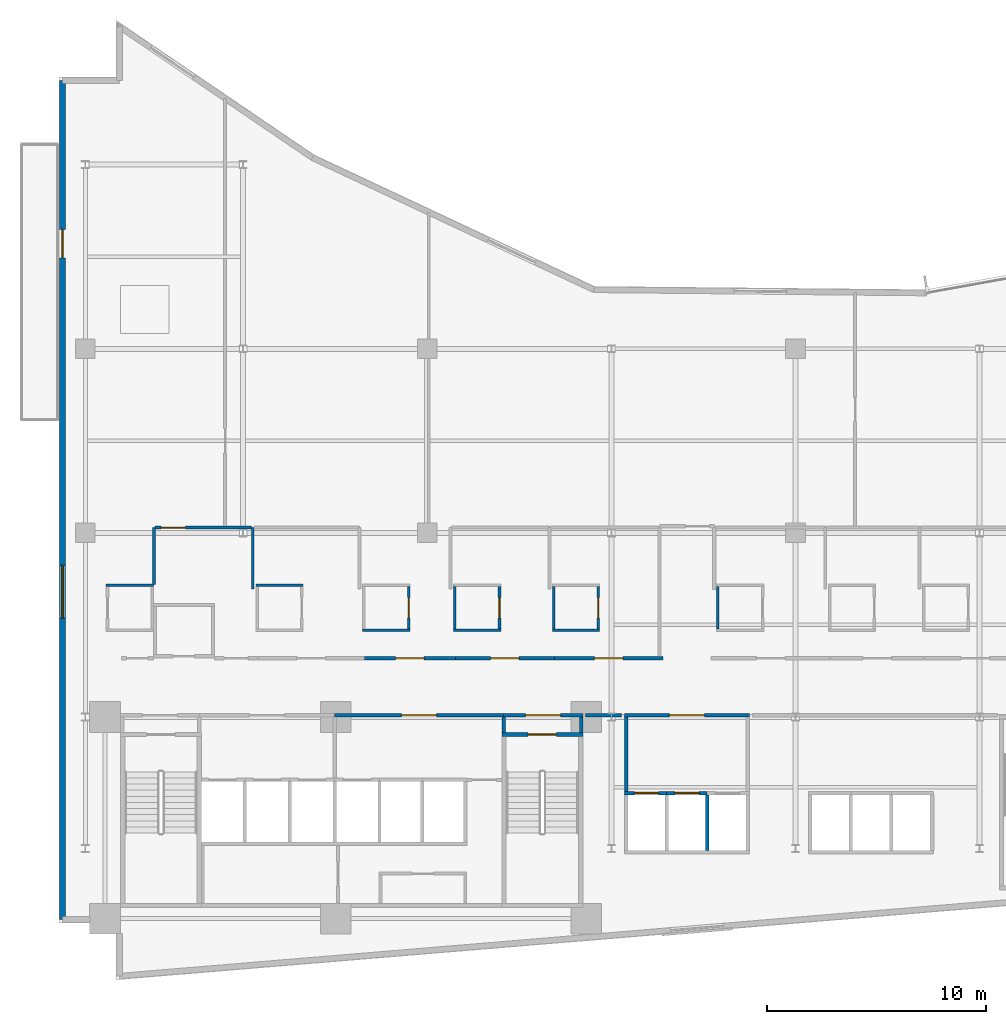
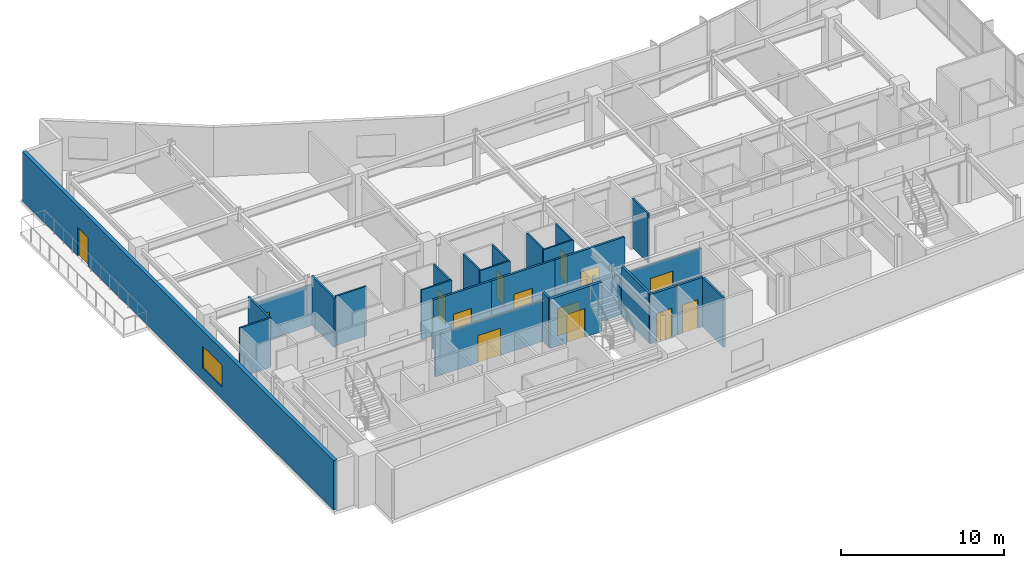
# One storey, part 13 of 21: 29 walls, 14 doors, 1 window, 15 openings.
"""IFC4 building model written with IfcOpenShell, lengths in metres."""

import ifcopenshell
import ifcopenshell.guid

model = None  # the IFC model being written
_history = None  # IfcOwnerHistory: only IFC2X3 demands one
_inside = {}  # id of a spatial element -> (the spatial element, [elements in it])
_under = {}  # id of a project, library or spatial element -> (it, [spatial elements below it])
_declared = {}  # id of a project -> (the project, [libraries it declares])
_typed = {}  # id of a type object -> (the type object, [elements of that type])
_made_of = {}  # id of a material, layer set ... -> (it, [elements and type objects made of it])


def new_model(schema):
    """Start an empty IFC model of exactly this schema.

    Asked for "IFC4X3", IfcOpenShell would pick the latest addendum, in which some entities
    have other attributes; the version numbers below select the first issue.
    IFC2X3 requires an IfcOwnerHistory on every rooted entity: one is made here for all.
    """
    global model, _history
    if schema == "IFC4X3":
        model = ifcopenshell.file(schema_version=(4, 3, 0, 0))
    else:
        model = ifcopenshell.file(schema=schema)
    _inside.clear()
    _under.clear()
    _declared.clear()
    _typed.clear()
    _made_of.clear()
    _history = None
    if model.schema == "IFC2X3":
        org = make("IfcOrganization", Name="unknown")
        user = make(
            "IfcPersonAndOrganization",
            ThePerson=make("IfcPerson", FamilyName="unknown"),
            TheOrganization=org,
        )
        app = make(
            "IfcApplication",
            ApplicationDeveloper=org,
            Version="unknown",
            ApplicationFullName="unknown",
            ApplicationIdentifier="unknown",
        )
        _history = make(
            "IfcOwnerHistory",
            OwningUser=user,
            OwningApplication=app,
            ChangeAction="ADDED",
            CreationDate=0,
        )
    return model


def make(cls, **values):
    """One entity of the class cls with the attributes given. An attribute that is None is left unset."""
    return model.create_entity(
        cls, **{name: value for name, value in values.items() if value is not None}
    )


def rooted(cls, **values):
    """An entity with a GlobalId (a new one), such as an element, a storey or a relation."""
    return make(cls, GlobalId=ifcopenshell.guid.new(), OwnerHistory=_history, **values)


def si_unit(unit_type, name, prefix=None):
    """IfcSIUnit, for example si_unit("LENGTHUNIT", "METRE", prefix="MILLI")."""
    return make("IfcSIUnit", UnitType=unit_type, Prefix=prefix, Name=name)


def assignment(units):
    """IfcUnitAssignment: the units of a project."""
    return None if units is None else make("IfcUnitAssignment", Units=units)


def point(xyz):
    """IfcCartesianPoint."""
    return None if xyz is None else make("IfcCartesianPoint", Coordinates=xyz)


def direction(xyz):
    """IfcDirection."""
    return None if xyz is None else make("IfcDirection", DirectionRatios=xyz)


def frame(location, z_axis=None, x_axis=None):
    """IfcAxis2Placement3D, a coordinate frame: its origin and axes. An axis left out is left unset."""
    return make(
        "IfcAxis2Placement3D",
        Location=point(location),
        Axis=direction(z_axis),
        RefDirection=direction(x_axis),
    )


def frame_2d(location, x_axis=None):
    """IfcAxis2Placement2D, a coordinate frame in the plane: its origin and x axis."""
    return make(
        "IfcAxis2Placement2D", Location=point(location), RefDirection=direction(x_axis)
    )


def origin():
    """The frame at (0, 0, 0) with its axes left unset."""
    return frame((0.0, 0.0, 0.0))


def place(relative_to, where):
    """IfcLocalPlacement: puts the frame where relative to a parent placement (None: the world)."""
    return make(
        "IfcLocalPlacement", PlacementRelTo=relative_to, RelativePlacement=where
    )


def context(
    kind, dimensions, precision=None, world=None, true_north=None, identifier=None
):
    """IfcGeometricRepresentationContext, for example the 3D "Model" context."""
    return make(
        "IfcGeometricRepresentationContext",
        ContextIdentifier=identifier,
        ContextType=kind,
        CoordinateSpaceDimension=dimensions,
        Precision=precision,
        WorldCoordinateSystem=world,
        TrueNorth=true_north,
    )


def subcontext(parent, identifier, kind, view, scale=None):
    """IfcGeometricRepresentationSubContext, for example "Body" below "Model"."""
    return make(
        "IfcGeometricRepresentationSubContext",
        ContextIdentifier=identifier,
        ContextType=kind,
        ParentContext=parent,
        TargetScale=scale,
        TargetView=view,
    )


def project(units=None, contexts=None):
    """IfcProject with its units and contexts."""
    return rooted(
        "IfcProject",
        Name="project",
        RepresentationContexts=contexts,
        UnitsInContext=assignment(units),
    )


def spatial(cls, under=None, at=None, **own):
    """A site, building, storey or space (cls), placed at a placement, below another one or the project."""
    s = rooted(cls, ObjectPlacement=at, **own)
    if under is not None:
        _under.setdefault(under.id(), (under, []))[1].append(s)
    return s


def profile(cls, at=None, kind="AREA", **sizes):
    """A parametric profile (cls). Its sizes go by their IFC names, for example OverallWidth=200.0."""
    return make(cls, ProfileType=kind, Position=at, **sizes)


def rectangle(**sizes):
    """IfcRectangleProfileDef."""
    return profile("IfcRectangleProfileDef", **sizes)


def extrude(swept, where, along, depth):
    """IfcExtrudedAreaSolid: the profile swept, set in the frame where, extruded along a direction by depth."""
    return make(
        "IfcExtrudedAreaSolid",
        SweptArea=swept,
        Position=where,
        ExtrudedDirection=direction(along),
        Depth=depth,
    )


def shape(context_of_items, identifier, shape_type, items):
    """IfcShapeRepresentation: the items that make up one representation, for example the "Body"."""
    return make(
        "IfcShapeRepresentation",
        ContextOfItems=context_of_items,
        RepresentationIdentifier=identifier,
        RepresentationType=shape_type,
        Items=items,
    )


def material(Name=None, Category=None):
    """IfcMaterial."""
    return make("IfcMaterial", Name=Name, Category=Category)


def layer(
    of_material, thickness, ventilated=None, Name=None, Category=None, Priority=None
):
    """IfcMaterialLayer: one layer of a wall or slab, of a material (None: an air gap)."""
    return make(
        "IfcMaterialLayer",
        Material=of_material,
        LayerThickness=thickness,
        IsVentilated=ventilated,
        Name=Name,
        Category=Category,
        Priority=Priority,
    )


def layer_set(layers, Name=None):
    """IfcMaterialLayerSet."""
    return make("IfcMaterialLayerSet", MaterialLayers=layers, LayerSetName=Name)


def made_of(thing, what):
    """Note that an element or type object is made of a material, layer set ...; save() writes the relation."""
    if what is not None:
        _made_of.setdefault(what.id(), (what, []))[1].append(thing)
    return thing


def type_object(cls, material=None, **own):
    """A type object (cls), such as IfcWallType, which elements share."""
    return made_of(rooted(cls, **own), material)


def element(
    cls,
    number,
    at=None,
    inside=None,
    cuts=None,
    type_object=None,
    material=None,
    context=None,
    identifier="Body",
    shape_type=None,
    held_by="IfcProductDefinitionShape",
    body=None,
    shapes=None,
    **own,
):
    """One element of the class cls, such as IfcWall. Its Tag is "e" and its number.

    at: its placement. inside: the storey or other place that contains it. cuts: it is an
    opening in that element (IfcRelVoidsElement). A single representation is given by context,
    identifier, shape_type and body (its items); several are given by shapes. held_by: the class
    of the entity that holds the representations. save() writes the other relations.
    """
    e = rooted(cls, Tag="e%d" % number, ObjectPlacement=at, **own)
    if body is not None:
        shapes = [shape(context, identifier, shape_type, body)]
    if shapes is not None:
        e.Representation = make(held_by, Representations=shapes)
    if inside is not None:
        _inside.setdefault(inside.id(), (inside, []))[1].append(e)
    if cuts is not None:
        rooted(
            "IfcRelVoidsElement", RelatingBuildingElement=cuts, RelatedOpeningElement=e
        )
    if type_object is not None:
        _typed.setdefault(type_object.id(), (type_object, []))[1].append(e)
    return made_of(e, material)


def fill(opening, filler):
    """IfcRelFillsElement: the door or window that sits in an opening."""
    return rooted(
        "IfcRelFillsElement",
        RelatingOpeningElement=opening,
        RelatedBuildingElement=filler,
    )


def aggregate(whole, parts):
    """IfcRelAggregates: a whole, such as a stair, and the parts it consists of."""
    return rooted("IfcRelAggregates", RelatingObject=whole, RelatedObjects=parts)


def save(model, path):
    """Write the relations noted so far, then the file.

    IfcRelAggregates (storeys below a building ...), IfcRelContainedInSpatialStructure (elements
    in a storey), IfcRelDefinesByType, IfcRelAssociatesMaterial and IfcRelDeclares: one each for
    every whole, place, type object, material and project.
    """
    for whole, parts in _under.values():
        aggregate(whole, parts)
    for where, things in _inside.values():
        rooted(
            "IfcRelContainedInSpatialStructure",
            RelatedElements=things,
            RelatingStructure=where,
        )
    for kind, things in _typed.values():
        rooted("IfcRelDefinesByType", RelatedObjects=things, RelatingType=kind)
    for what, things in _made_of.values():
        rooted("IfcRelAssociatesMaterial", RelatedObjects=things, RelatingMaterial=what)
    for by, libraries in _declared.values():
        rooted("IfcRelDeclares", RelatingContext=by, RelatedDefinitions=libraries)
    model.write(path)


model = new_model("IFC4")

# Units and contexts
model_context = context("Model", 3, precision=1e-05, world=origin(), true_north=direction((0.0, 1.0)))
body_context = subcontext(model_context, "Body", "Model", "MODEL_VIEW")
ifc_project = project(units=[si_unit("LENGTHUNIT", "METRE"), si_unit("AREAUNIT", "SQUARE_METRE"), si_unit("VOLUMEUNIT", "CUBIC_METRE"), si_unit("PLANEANGLEUNIT", "RADIAN"), si_unit("MASSUNIT", "GRAM", prefix="KILO")], contexts=[model_context])

# Site, building, storey
site_placement = place(None, origin())
site = spatial("IfcSite", under=ifc_project, at=site_placement, CompositionType="ELEMENT")
building_placement = place(site_placement, origin())
building = spatial("IfcBuilding", under=site, at=building_placement, Name="Varnakote Quay Hospital", CompositionType="ELEMENT")
storey_placement = place(building_placement, frame((0.0, 0.0, 42.25)))
storey = spatial("IfcBuildingStorey", under=building, at=storey_placement, Name="L10", CompositionType="ELEMENT", Elevation=42.25)

# Wall, opening, door
ifc_material_1 = material(Name="Fire-rated acoustic gypsum stud wall", Category="gypsum")
ifc_layer_1 = layer(ifc_material_1, 0.159912109375)
ifc_layer_set_1 = layer_set([ifc_layer_1], Name="Fire-rated acoustic gypsum stud wall")
wall_type_1 = type_object("IfcWallType", Name="WL-COMP-160", PredefinedType="PARTITIONING", material=ifc_layer_set_1)
wall_1_placement = place(storey_placement, frame((12.580078125, 12.080078125, 0.0), z_axis=(0.0, 0.0, 1.0), x_axis=(1.0, 0.0, 0.0)))
wall_1 = element("IfcWall", 1, at=wall_1_placement, inside=storey, type_object=wall_type_1, Name="L10 Clinical Bed Lift Lobby Wall", PredefinedType="PARTITIONING", context=body_context, shape_type="SweptSolid", body=[
    extrude(rectangle(XDim=7.699951171875, YDim=0.159912109375, at=frame_2d((3.85009765625, 0.0))), origin(), (0.0, 0.0, 1.0), 3.072998046875),
])
opening_1_placement = place(wall_1_placement, frame((3.050048828125, 0.0, 0.0)))
opening_1 = element("IfcOpeningElement", 2, at=opening_1_placement, cuts=wall_1, Name="Opening D-SVL-L10", PredefinedType="OPENING", context=body_context, shape_type="SweptSolid", body=[
    extrude(rectangle(XDim=1.60009765625, YDim=2.050048828125, at=frame_2d((0.800048828125, 1.02490234375))), frame((0.0, 0.08984375, 0.0), z_axis=(0.0, -1.0, 0.0), x_axis=(1.0, 0.0, 0.0)), (0.0, 0.0, 1.0), 0.179931640625),
])
ifc_material_2 = material(Name="Fire-rated double smoke lobby door")
door_type_1 = type_object("IfcDoorType", Name="DR-LOBBY-FD60S-1600x2150", OperationType="NOTDEFINED", PredefinedType="DOOR", material=ifc_material_2)
door_1_placement = place(opening_1_placement, origin())
door_1 = element("IfcDoor", 3, at=door_1_placement, inside=storey, type_object=door_type_1, Name="L10 Clinical Core Smoke Vestibule Door", OperationType="DOUBLE_DOOR_SINGLE_SWING", OverallHeight=2.050048828125, OverallWidth=1.60009765625, PredefinedType="DOOR", context=body_context, shape_type="SweptSolid", body=[
    extrude(rectangle(XDim=1.60009765625, YDim=2.050048828125, at=frame_2d((0.800048828125, 1.02490234375))), frame((0.0, 0.02490234375, 0.0), z_axis=(0.0, -1.0, 0.0), x_axis=(1.0, 0.0, 0.0)), (0.0, 0.0, 1.0), 0.050048828125),
])
fill(opening_1, door_1)

# Wall
wall_2_placement = place(storey_placement, frame((20.280029296875, 11.300048828125, 0.0), z_axis=(0.0, 0.0, 1.0), x_axis=(0.0, 1.0, 0.0)))
element("IfcWall", 4, at=wall_2_placement, inside=storey, type_object=wall_type_1, Name="L10 East Stair Vestibule Divider Wall", PredefinedType="PARTITIONING", context=body_context, shape_type="SweptSolid", body=[
    extrude(rectangle(XDim=0.699951171875, YDim=0.159912109375, at=frame_2d((0.35009765625, 0.0))), origin(), (0.0, 0.0, 1.0), 3.7099609375),
])

# Wall, opening, door
wall_3_placement = place(storey_placement, frame((20.280029296875, 12.080078125, 0.0), z_axis=(0.0, 0.0, 1.0), x_axis=(1.0, 0.0, 0.0)))
wall_3 = element("IfcWall", 5, at=wall_3_placement, inside=storey, type_object=wall_type_1, Name="L10 East Stair Vestibule Smoke Wall", PredefinedType="PARTITIONING", context=body_context, shape_type="SweptSolid", body=[
    extrude(rectangle(XDim=3.619873046875, YDim=0.159912109375, at=frame_2d((1.81005859375, 0.0))), origin(), (0.0, 0.0, 1.0), 3.072998046875),
])
opening_2_placement = place(wall_3_placement, frame((1.010009765625, 0.0, 0.0)))
opening_2 = element("IfcOpeningElement", 6, at=opening_2_placement, cuts=wall_3, Name="Opening D-ST2L-L10", PredefinedType="OPENING", context=body_context, shape_type="SweptSolid", body=[
    extrude(rectangle(XDim=1.60009765625, YDim=2.050048828125, at=frame_2d((0.800048828125, 1.02490234375))), frame((0.0, 0.08984375, 0.0), z_axis=(0.0, -1.0, 0.0), x_axis=(1.0, 0.0, 0.0)), (0.0, 0.0, 1.0), 0.179931640625),
])
door_2_placement = place(opening_2_placement, origin())
door_2 = element("IfcDoor", 7, at=door_2_placement, inside=storey, type_object=door_type_1, Name="L10 East Stair Vestibule Smoke Door", OperationType="DOUBLE_DOOR_SINGLE_SWING", OverallHeight=2.050048828125, OverallWidth=1.60009765625, PredefinedType="DOOR", context=body_context, shape_type="SweptSolid", body=[
    extrude(rectangle(XDim=1.60009765625, YDim=2.050048828125, at=frame_2d((0.800048828125, 1.02490234375))), frame((0.0, 0.02490234375, 0.0), z_axis=(0.0, -1.0, 0.0), x_axis=(1.0, 0.0, 0.0)), (0.0, 0.0, 1.0), 0.050048828125),
])
fill(opening_2, door_2)

# Walls
wall_4_placement = place(storey_placement, frame((23.820068359375, 11.300048828125, 0.0), z_axis=(0.0, 0.0, 1.0), x_axis=(0.0, 1.0, 0.0)))
element("IfcWall", 8, at=wall_4_placement, inside=storey, type_object=wall_type_1, Name="L10 East Stair Vestibule East Wall", PredefinedType="PARTITIONING", context=body_context, shape_type="SweptSolid", body=[
    extrude(rectangle(XDim=0.699951171875, YDim=0.159912109375, at=frame_2d((0.35009765625, 0.0))), origin(), (0.0, 0.0, 1.0), 3.7099609375),
])
wall_5_placement = place(storey_placement, frame((25.8701171875, 8.610107421875, 0.0), z_axis=(0.0, 0.0, 1.0), x_axis=(0.0, 1.0, 0.0)))
element("IfcWall", 9, at=wall_5_placement, inside=storey, type_object=wall_type_1, Name="L10 Low-Rise Lift Lobby West Wall", PredefinedType="PARTITIONING", context=body_context, shape_type="SweptSolid", body=[
    extrude(rectangle(XDim=3.389892578125, YDim=0.159912109375, at=frame_2d((1.69482421875, 0.0))), origin(), (0.0, 0.0, 1.0), 3.7099609375),
])

# Wall, opening, door
wall_6_placement = place(storey_placement, frame((25.7900390625, 12.080078125, 0.0), z_axis=(0.0, 0.0, 1.0), x_axis=(1.0, 0.0, 0.0)))
wall_6 = element("IfcWall", 10, at=wall_6_placement, inside=storey, type_object=wall_type_1, Name="L10 Low-Rise Lift Lobby North Wall", PredefinedType="PARTITIONING", context=body_context, shape_type="SweptSolid", body=[
    extrude(rectangle(XDim=5.719970703125, YDim=0.159912109375, at=frame_2d((2.85986328125, 0.0))), origin(), (0.0, 0.0, 1.0), 3.072998046875),
])
opening_3_placement = place(wall_6_placement, frame((2.06005859375, 0.0, 0.0)))
opening_3 = element("IfcOpeningElement", 11, at=opening_3_placement, cuts=wall_6, Name="Opening D-PLL-L10", PredefinedType="OPENING", context=body_context, shape_type="SweptSolid", body=[
    extrude(rectangle(XDim=1.60009765625, YDim=2.050048828125, at=frame_2d((0.800048828125, 1.02490234375))), frame((0.0, 0.08984375, 0.0), z_axis=(0.0, -1.0, 0.0), x_axis=(1.0, 0.0, 0.0)), (0.0, 0.0, 1.0), 0.179931640625),
])
door_3_placement = place(opening_3_placement, origin())
door_3 = element("IfcDoor", 12, at=door_3_placement, inside=storey, type_object=door_type_1, Name="L10 Low-Rise Passenger Concourse Vestibule Door", OperationType="DOUBLE_DOOR_SINGLE_SWING", OverallHeight=2.050048828125, OverallWidth=1.60009765625, PredefinedType="DOOR", context=body_context, shape_type="SweptSolid", body=[
    extrude(rectangle(XDim=1.60009765625, YDim=2.050048828125, at=frame_2d((0.800048828125, 1.02490234375))), frame((0.0, 0.02490234375, 0.0), z_axis=(0.0, -1.0, 0.0), x_axis=(1.0, 0.0, 0.0)), (0.0, 0.0, 1.0), 0.050048828125),
])
fill(opening_3, door_3)

# Walls
wall_7_placement = place(storey_placement, frame((24.02001953125, 12.080078125, 0.0), z_axis=(0.0, 0.0, 1.0), x_axis=(1.0, 0.0, 0.0)))
element("IfcWall", 13, at=wall_7_placement, inside=storey, type_object=wall_type_1, Name="L10 Corridor South Gap Wall", PredefinedType="PARTITIONING", context=body_context, shape_type="SweptSolid", body=[
    extrude(rectangle(XDim=1.64990234375, YDim=0.159912109375, at=frame_2d((0.824951171875, 0.0))), origin(), (0.0, 0.0, 1.0), 3.072998046875),
])
ifc_material_3 = material(Name="Moisture-resistant bathroom partition", Category="gypsum")
ifc_layer_2 = layer(ifc_material_3, 0.114990234375)
ifc_layer_set_2 = layer_set([ifc_layer_2], Name="Moisture-resistant bathroom partition")
wall_type_2 = type_object("IfcWallType", Name="WL-ENS-115", PredefinedType="PARTITIONING", material=ifc_layer_set_2)
for number, where, z_axis, x_axis, name in (
    (14, (2.155029296875, 18.017578125, 0.0), (0.0, 0.0, 1.0), (1.0, 0.0, 0.0), "L10 Inpatient En-Suite Bathroom 01 N Wall"),
    (15, (8.985107421875, 18.017578125, 0.0), (0.0, 0.0, 1.0), (1.0, 0.0, 0.0), "L10 Inpatient En-Suite Bathroom 02 N Wall"),
    (16, (13.85498046875, 15.952392578125, 0.0), (0.0, 0.0, 1.0), (1.0, 0.0, 0.0), "L10 Inpatient En-Suite Bathroom 03 S Wall"),
):
    element("IfcWall", number, at=place(storey_placement, frame(where, z_axis=z_axis, x_axis=x_axis)), inside=storey, type_object=wall_type_2, Name=name, PredefinedType="PARTITIONING", context=body_context, shape_type="SweptSolid", body=[
        extrude(rectangle(XDim=2.14990234375, YDim=0.114990234375, at=frame_2d((1.074951171875, 0.0))), origin(), (0.0, 0.0, 1.0), 3.7099609375),
    ])

# Wall, opening, door
wall_8_placement = place(storey_placement, frame((15.947509765625, 16.010009765625, 0.0), z_axis=(0.0, 0.0, 1.0), x_axis=(0.0, 1.0, 0.0)))
wall_8 = element("IfcWall", 17, at=wall_8_placement, inside=storey, type_object=wall_type_2, Name="L10 Inpatient En-Suite Bathroom 03 E Wall", PredefinedType="PARTITIONING", context=body_context, shape_type="SweptSolid", body=[
    extrude(rectangle(XDim=1.949951171875, YDim=0.114990234375, at=frame_2d((0.97509765625, 0.0))), origin(), (0.0, 0.0, 1.0), 3.7099609375),
])
opening_4_placement = place(wall_8_placement, frame((0.514892578125, 0.0, 0.0)))
opening_4 = element("IfcOpeningElement", 18, at=opening_4_placement, cuts=wall_8, Name="Opening D-L10-ENS03", PredefinedType="OPENING", context=body_context, shape_type="SweptSolid", body=[
    extrude(rectangle(XDim=0.919921875, YDim=2.10009765625, at=frame_2d((0.4599609375, 1.050048828125))), frame((0.0, 0.0673828125, 0.0), z_axis=(0.0, -1.0, 0.0), x_axis=(1.0, 0.0, 0.0)), (0.0, 0.0, 1.0), 0.135009765625),
])
ifc_material_4 = material(Name="Moisture-sealed en-suite bathroom door")
door_type_2 = type_object("IfcDoorType", Name="DR-ENS-920x2100", OperationType="NOTDEFINED", PredefinedType="DOOR", material=ifc_material_4)
door_4_placement = place(opening_4_placement, origin())
door_4 = element("IfcDoor", 19, at=door_4_placement, inside=storey, type_object=door_type_2, Name="L10 Inpatient En-Suite Bathroom 03 Door", OperationType="SINGLE_SWING_LEFT", OverallHeight=2.10009765625, OverallWidth=0.919921875, PredefinedType="DOOR", context=body_context, shape_type="SweptSolid", body=[
    extrude(rectangle(XDim=0.919921875, YDim=2.10009765625, at=frame_2d((0.4599609375, 1.050048828125))), frame((0.0, 0.02490234375, 0.0), z_axis=(0.0, -1.0, 0.0), x_axis=(1.0, 0.0, 0.0)), (0.0, 0.0, 1.0), 0.050048828125),
])
fill(opening_4, door_4)

# Walls
wall_9_placement = place(storey_placement, frame((18.0048828125, 15.952392578125, 0.0), z_axis=(0.0, 0.0, 1.0), x_axis=(1.0, 0.0, 0.0)))
element("IfcWall", 20, at=wall_9_placement, inside=storey, type_object=wall_type_2, Name="L10 Inpatient En-Suite Bathroom 04 S Wall", PredefinedType="PARTITIONING", context=body_context, shape_type="SweptSolid", body=[
    extrude(rectangle(XDim=2.150146484375, YDim=0.114990234375, at=frame_2d((1.0751953125, 0.0))), origin(), (0.0, 0.0, 1.0), 3.7099609375),
])
wall_10_placement = place(storey_placement, frame((18.0625, 16.010009765625, 0.0), z_axis=(0.0, 0.0, 1.0), x_axis=(0.0, 1.0, 0.0)))
element("IfcWall", 21, at=wall_10_placement, inside=storey, type_object=wall_type_2, Name="L10 Inpatient En-Suite Bathroom 04 W Wall", PredefinedType="PARTITIONING", context=body_context, shape_type="SweptSolid", body=[
    extrude(rectangle(XDim=1.949951171875, YDim=0.114990234375, at=frame_2d((0.97509765625, 0.0))), origin(), (0.0, 0.0, 1.0), 3.7099609375),
])

# Wall, opening, door
wall_11_placement = place(storey_placement, frame((20.097412109375, 16.010009765625, 0.0), z_axis=(0.0, 0.0, 1.0), x_axis=(0.0, 1.0, 0.0)))
wall_11 = element("IfcWall", 22, at=wall_11_placement, inside=storey, type_object=wall_type_2, Name="L10 Inpatient En-Suite Bathroom 04 E Wall", PredefinedType="PARTITIONING", context=body_context, shape_type="SweptSolid", body=[
    extrude(rectangle(XDim=1.949951171875, YDim=0.114990234375, at=frame_2d((0.97509765625, 0.0))), origin(), (0.0, 0.0, 1.0), 3.7099609375),
])
opening_5_placement = place(wall_11_placement, frame((0.514892578125, 0.0, 0.0)))
opening_5 = element("IfcOpeningElement", 23, at=opening_5_placement, cuts=wall_11, Name="Opening D-L10-ENS04", PredefinedType="OPENING", context=body_context, shape_type="SweptSolid", body=[
    extrude(rectangle(XDim=0.919921875, YDim=2.10009765625, at=frame_2d((0.4599609375, 1.050048828125))), frame((0.0, 0.0673828125, 0.0), z_axis=(0.0, -1.0, 0.0), x_axis=(1.0, 0.0, 0.0)), (0.0, 0.0, 1.0), 0.135009765625),
])
door_5_placement = place(opening_5_placement, origin())
door_5 = element("IfcDoor", 24, at=door_5_placement, inside=storey, type_object=door_type_2, Name="L10 Inpatient En-Suite Bathroom 04 Door", OperationType="SINGLE_SWING_RIGHT", OverallHeight=2.10009765625, OverallWidth=0.919921875, PredefinedType="DOOR", context=body_context, shape_type="SweptSolid", body=[
    extrude(rectangle(XDim=0.919921875, YDim=2.10009765625, at=frame_2d((0.4599609375, 1.050048828125))), frame((0.0, 0.02490234375, 0.0), z_axis=(0.0, -1.0, 0.0), x_axis=(1.0, 0.0, 0.0)), (0.0, 0.0, 1.0), 0.050048828125),
])
fill(opening_5, door_5)

# Walls
wall_12_placement = place(storey_placement, frame((22.514892578125, 15.952392578125, 0.0), z_axis=(0.0, 0.0, 1.0), x_axis=(1.0, 0.0, 0.0)))
element("IfcWall", 25, at=wall_12_placement, inside=storey, type_object=wall_type_2, Name="L10 Inpatient En-Suite Bathroom 05 S Wall", PredefinedType="PARTITIONING", context=body_context, shape_type="SweptSolid", body=[
    extrude(rectangle(XDim=2.150146484375, YDim=0.114990234375, at=frame_2d((1.0751953125, 0.0))), origin(), (0.0, 0.0, 1.0), 3.7099609375),
])
wall_13_placement = place(storey_placement, frame((22.572509765625, 16.010009765625, 0.0), z_axis=(0.0, 0.0, 1.0), x_axis=(0.0, 1.0, 0.0)))
element("IfcWall", 26, at=wall_13_placement, inside=storey, type_object=wall_type_2, Name="L10 Inpatient En-Suite Bathroom 05 W Wall", PredefinedType="PARTITIONING", context=body_context, shape_type="SweptSolid", body=[
    extrude(rectangle(XDim=1.949951171875, YDim=0.114990234375, at=frame_2d((0.97509765625, 0.0))), origin(), (0.0, 0.0, 1.0), 3.7099609375),
])

# Wall, opening, door
wall_14_placement = place(storey_placement, frame((24.607421875, 16.010009765625, 0.0), z_axis=(0.0, 0.0, 1.0), x_axis=(0.0, 1.0, 0.0)))
wall_14 = element("IfcWall", 27, at=wall_14_placement, inside=storey, type_object=wall_type_2, Name="L10 Inpatient En-Suite Bathroom 05 E Wall", PredefinedType="PARTITIONING", context=body_context, shape_type="SweptSolid", body=[
    extrude(rectangle(XDim=1.949951171875, YDim=0.114990234375, at=frame_2d((0.97509765625, 0.0))), origin(), (0.0, 0.0, 1.0), 3.7099609375),
])
opening_6_placement = place(wall_14_placement, frame((0.514892578125, 0.0, 0.0)))
opening_6 = element("IfcOpeningElement", 28, at=opening_6_placement, cuts=wall_14, Name="Opening D-L10-ENS05", PredefinedType="OPENING", context=body_context, shape_type="SweptSolid", body=[
    extrude(rectangle(XDim=0.919921875, YDim=2.10009765625, at=frame_2d((0.4599609375, 1.050048828125))), frame((0.0, 0.0673828125, 0.0), z_axis=(0.0, -1.0, 0.0), x_axis=(1.0, 0.0, 0.0)), (0.0, 0.0, 1.0), 0.135009765625),
])
door_6_placement = place(opening_6_placement, origin())
door_6 = element("IfcDoor", 29, at=door_6_placement, inside=storey, type_object=door_type_2, Name="L10 Inpatient En-Suite Bathroom 05 Door", OperationType="SINGLE_SWING_LEFT", OverallHeight=2.10009765625, OverallWidth=0.919921875, PredefinedType="DOOR", context=body_context, shape_type="SweptSolid", body=[
    extrude(rectangle(XDim=0.919921875, YDim=2.10009765625, at=frame_2d((0.4599609375, 1.050048828125))), frame((0.0, 0.02490234375, 0.0), z_axis=(0.0, -1.0, 0.0), x_axis=(1.0, 0.0, 0.0)), (0.0, 0.0, 1.0), 0.050048828125),
])
fill(opening_6, door_6)

# Wall
wall_15_placement = place(storey_placement, frame((30.0625, 16.010009765625, 0.0), z_axis=(0.0, 0.0, 1.0), x_axis=(0.0, 1.0, 0.0)))
element("IfcWall", 30, at=wall_15_placement, inside=storey, type_object=wall_type_2, Name="L10 Inpatient En-Suite Bathroom 06 W Wall", PredefinedType="PARTITIONING", context=body_context, shape_type="SweptSolid", body=[
    extrude(rectangle(XDim=1.949951171875, YDim=0.114990234375, at=frame_2d((0.97509765625, 0.0))), origin(), (0.0, 0.0, 1.0), 3.7099609375),
])

# Wall, openings, door, window
ifc_material_5 = material(Name="Precast concrete N50 (f'c 50 MPa)", Category="concrete")
ifc_layer_3 = layer(ifc_material_5, 0.260009765625)
ifc_layer_set_3 = layer_set([ifc_layer_3], Name="Precast concrete N50 (f'c 50 MPa)")
wall_type_3 = type_object("IfcWallType", Name="WL-EXT-BRICK-260", PredefinedType="STANDARD", material=ifc_layer_set_3)
wall_16_placement = place(storey_placement, frame((0.159912109375, 41.0400390625, 0.0), z_axis=(0.0, 0.0, 1.0), x_axis=(0.0, -1.0, 0.0)))
wall_16 = element("IfcWall", 31, at=wall_16_placement, inside=storey, type_object=wall_type_3, Name="L10 Healing Terrace Portal Brick Wall", PredefinedType="STANDARD", context=body_context, shape_type="SweptSolid", body=[
    extrude(rectangle(XDim=38.280029296875, YDim=0.260009765625, at=frame_2d((19.14013671875, 0.0))), origin(), (0.0, 0.0, 1.0), 3.7099609375),
])
opening_7_placement = place(wall_16_placement, frame((6.793212890625, 0.0, 0.0)))
opening_7 = element("IfcOpeningElement", 32, at=opening_7_placement, cuts=wall_16, Name="Opening DT-L10", PredefinedType="OPENING", context=body_context, shape_type="SweptSolid", body=[
    extrude(rectangle(XDim=1.300048828125, YDim=2.14990234375, at=frame_2d((0.64990234375, 1.074951171875))), frame((0.0, 0.139892578125, 0.0), z_axis=(0.0, -1.0, 0.0), x_axis=(1.0, 0.0, 0.0)), (0.0, 0.0, 1.0), 0.280029296875),
])
opening_8_placement = place(wall_16_placement, frame((22.126953125, 0.0, 0.89990234375)))
opening_8 = element("IfcOpeningElement", 33, at=opening_8_placement, cuts=wall_16, Name="Opening WN-0305", PredefinedType="OPENING", context=body_context, shape_type="SweptSolid", body=[
    extrude(rectangle(XDim=2.39990234375, YDim=1.64990234375, at=frame_2d((1.199951171875, 0.824951171875))), frame((0.0, 0.139892578125, 0.0), z_axis=(0.0, -1.0, 0.0), x_axis=(1.0, 0.0, 0.0)), (0.0, 0.0, 1.0), 0.280029296875),
])
ifc_material_6 = material(Name="Anodised aluminium glazed terrace door", Category="aluminium")
door_type_3 = type_object("IfcDoorType", Name="DR-EXT-TERR-1300x2150", OperationType="NOTDEFINED", PredefinedType="DOOR", material=ifc_material_6)
door_7_placement = place(opening_7_placement, origin())
door_7 = element("IfcDoor", 34, at=door_7_placement, inside=storey, type_object=door_type_3, Name="L10 Waterfront Healing Terrace Door", OperationType="SINGLE_SWING_LEFT", OverallHeight=2.14990234375, OverallWidth=1.300048828125, PredefinedType="DOOR", context=body_context, shape_type="SweptSolid", body=[
    extrude(rectangle(XDim=1.300048828125, YDim=2.14990234375, at=frame_2d((0.64990234375, 1.074951171875))), frame((0.0, 0.02490234375, 0.0), z_axis=(0.0, -1.0, 0.0), x_axis=(1.0, 0.0, 0.0)), (0.0, 0.0, 1.0), 0.050048828125),
])
fill(opening_7, door_7)
ifc_material_7 = material(Name="Double-glazed low-E solar glass", Category="glass")
window_type = type_object("IfcWindowType", Name="WIN-CLIN-2400x1650", PartitioningType="SINGLE_PANEL", PredefinedType="WINDOW", material=ifc_material_7)
window_placement = place(opening_8_placement, origin())
window = element("IfcWindow", 35, at=window_placement, inside=storey, type_object=window_type, Name="L10 Solar-Control Clinical Window", OverallHeight=1.64990234375, OverallWidth=2.39990234375, PartitioningType="SINGLE_PANEL", PredefinedType="WINDOW", context=body_context, shape_type="SweptSolid", body=[
    extrude(rectangle(XDim=2.39990234375, YDim=1.64990234375, at=frame_2d((1.199951171875, 0.824951171875))), frame((0.0, 0.030029296875, 0.0), z_axis=(0.0, -1.0, 0.0), x_axis=(1.0, 0.0, 0.0)), (0.0, 0.0, 1.0), 0.06005859375),
])
fill(opening_8, window)

# Wall
ifc_material_8 = material(Name="Concrete N50 (f'c 50 MPa)", Category="concrete")
ifc_layer_4 = layer(ifc_material_8, 0.14990234375)
ifc_layer_set_4 = layer_set([ifc_layer_4], Name="Concrete N50 (f'c 50 MPa)")
wall_type_4 = type_object("IfcWallType", Name="WL-SHAFT-N50-150", PredefinedType="SHEAR", material=ifc_layer_set_4)
wall_17_placement = place(storey_placement, frame((29.574951171875, 5.89990234375, 0.0), z_axis=(0.0, 0.0, 1.0), x_axis=(0.0, 1.0, 0.0)))
element("IfcWall", 36, at=wall_17_placement, inside=storey, type_object=wall_type_4, Name="L10 LF-PL2 Hoistway Divider Wall", PredefinedType="SHEAR", context=body_context, shape_type="SweptSolid", body=[
    extrude(rectangle(XDim=2.550048828125, YDim=0.14990234375, at=frame_2d((1.27490234375, 0.0))), origin(), (0.0, 0.0, 1.0), 3.7099609375),
])

# Wall, opening, door
ifc_material_9 = material(Name="Concrete N50 (f'c 50 MPa)", Category="concrete")
ifc_layer_5 = layer(ifc_material_9, 0.159912109375)
ifc_layer_set_5 = layer_set([ifc_layer_5], Name="Concrete N50 (f'c 50 MPa)")
wall_type_5 = type_object("IfcWallType", Name="WL-SHAFT-N50-160", PredefinedType="SHEAR", material=ifc_layer_set_5)
wall_18_placement = place(storey_placement, frame((25.7900390625, 8.530029296875, 0.0), z_axis=(0.0, 0.0, 1.0), x_axis=(1.0, 0.0, 0.0)))
wall_18 = element("IfcWall", 37, at=wall_18_placement, inside=storey, type_object=wall_type_5, Name="L10 LF-PL1 Hoistway Front Wall", PredefinedType="SHEAR", context=body_context, shape_type="SweptSolid", body=[
    extrude(rectangle(XDim=1.93505859375, YDim=0.159912109375, at=frame_2d((0.967529296875, 0.0))), origin(), (0.0, 0.0, 1.0), 3.7099609375),
])
opening_9_placement = place(wall_18_placement, frame((0.4599609375, 0.0, 0.0)))
opening_9 = element("IfcOpeningElement", 38, at=opening_9_placement, cuts=wall_18, Name="Opening LD-PL1-L10", PredefinedType="OPENING", context=body_context, shape_type="SweptSolid", body=[
    extrude(rectangle(XDim=1.10009765625, YDim=2.14990234375, at=frame_2d((0.550048828125, 1.074951171875))), frame((0.0, 0.08984375, 0.0), z_axis=(0.0, -1.0, 0.0), x_axis=(1.0, 0.0, 0.0)), (0.0, 0.0, 1.0), 0.179931640625),
])
ifc_material_10 = material(Name="Brushed bronze lift landing sliding door")
door_type_4 = type_object("IfcDoorType", Name="DR-LIFT-LD-1100x2150", OperationType="NOTDEFINED", PredefinedType="DOOR", material=ifc_material_10)
door_8_placement = place(opening_9_placement, origin())
door_8 = element("IfcDoor", 39, at=door_8_placement, inside=storey, type_object=door_type_4, Name="L10 LF-PL1 Lift Landing Sliding Door", OperationType="SLIDING_TO_LEFT", OverallHeight=2.14990234375, OverallWidth=1.10009765625, PredefinedType="DOOR", context=body_context, shape_type="SweptSolid", body=[
    extrude(rectangle(XDim=1.10009765625, YDim=2.14990234375, at=frame_2d((0.550048828125, 1.074951171875))), frame((0.0, 0.02490234375, 0.0), z_axis=(0.0, -1.0, 0.0), x_axis=(1.0, 0.0, 0.0)), (0.0, 0.0, 1.0), 0.050048828125),
])
fill(opening_9, door_8)

wall_19_placement = place(storey_placement, frame((27.72509765625, 8.530029296875, 0.0), z_axis=(0.0, 0.0, 1.0), x_axis=(1.0, 0.0, 0.0)))
wall_19 = element("IfcWall", 40, at=wall_19_placement, inside=storey, type_object=wall_type_5, Name="L10 LF-PL2 Hoistway Front Wall", PredefinedType="SHEAR", context=body_context, shape_type="SweptSolid", body=[
    extrude(rectangle(XDim=1.849853515625, YDim=0.159912109375, at=frame_2d((0.9248046875, 0.0))), origin(), (0.0, 0.0, 1.0), 3.7099609375),
])
opening_10_placement = place(wall_19_placement, frame((0.375, 0.0, 0.0)))
opening_10 = element("IfcOpeningElement", 41, at=opening_10_placement, cuts=wall_19, Name="Opening LD-PL2-L10", PredefinedType="OPENING", context=body_context, shape_type="SweptSolid", body=[
    extrude(rectangle(XDim=1.10009765625, YDim=2.14990234375, at=frame_2d((0.550048828125, 1.074951171875))), frame((0.0, 0.08984375, 0.0), z_axis=(0.0, -1.0, 0.0), x_axis=(1.0, 0.0, 0.0)), (0.0, 0.0, 1.0), 0.179931640625),
])
door_9_placement = place(opening_10_placement, origin())
door_9 = element("IfcDoor", 42, at=door_9_placement, inside=storey, type_object=door_type_4, Name="L10 LF-PL2 Lift Landing Sliding Door", OperationType="SLIDING_TO_LEFT", OverallHeight=2.14990234375, OverallWidth=1.10009765625, PredefinedType="DOOR", context=body_context, shape_type="SweptSolid", body=[
    extrude(rectangle(XDim=1.10009765625, YDim=2.14990234375, at=frame_2d((0.550048828125, 1.074951171875))), frame((0.0, 0.02490234375, 0.0), z_axis=(0.0, -1.0, 0.0), x_axis=(1.0, 0.0, 0.0)), (0.0, 0.0, 1.0), 0.050048828125),
])
fill(opening_10, door_9)

ifc_material_11 = material(Name="Concrete N50 (f'c 50 MPa)", Category="concrete")
ifc_layer_6 = layer(ifc_material_11, 0.199951171875)
ifc_layer_set_6 = layer_set([ifc_layer_6], Name="Concrete N50 (f'c 50 MPa)")
wall_type_6 = type_object("IfcWallType", Name="WL-SHAFT-N50-200", PredefinedType="SHEAR", material=ifc_layer_set_6)
wall_20_placement = place(storey_placement, frame((20.199951171875, 11.199951171875, 0.0), z_axis=(0.0, 0.0, 1.0), x_axis=(1.0, 0.0, 0.0)))
wall_20 = element("IfcWall", 43, at=wall_20_placement, inside=storey, type_object=wall_type_6, Name="L10 Stair ST2 Exit Wall", PredefinedType="SHEAR", context=body_context, shape_type="SweptSolid", body=[
    extrude(rectangle(XDim=3.699951171875, YDim=0.199951171875, at=frame_2d((1.85009765625, 0.0))), origin(), (0.0, 0.0, 1.0), 3.7099609375),
])
opening_11_placement = place(wall_20_placement, frame((1.199951171875, 0.0, 0.0)))
opening_11 = element("IfcOpeningElement", 44, at=opening_11_placement, cuts=wall_20, Name="Opening D-ST2-L10", PredefinedType="OPENING", context=body_context, shape_type="SweptSolid", body=[
    extrude(rectangle(XDim=1.300048828125, YDim=2.14990234375, at=frame_2d((0.64990234375, 1.074951171875))), frame((0.0, 0.10986328125, 0.0), z_axis=(0.0, -1.0, 0.0), x_axis=(1.0, 0.0, 0.0)), (0.0, 0.0, 1.0), 0.219970703125),
])
ifc_material_12 = material(Name="Fire-rated ceramic-glazed timber exit door", Category="wood")
door_type_5 = type_object("IfcDoorType", Name="DR-STAIR-FD60S-1300x2150", OperationType="NOTDEFINED", PredefinedType="DOOR", material=ifc_material_12)
door_10_placement = place(opening_11_placement, origin())
door_10 = element("IfcDoor", 45, at=door_10_placement, inside=storey, type_object=door_type_5, Name="L10 Stair ST2 Fire Exit Door", OperationType="SINGLE_SWING_LEFT", OverallHeight=2.14990234375, OverallWidth=1.300048828125, PredefinedType="DOOR", context=body_context, shape_type="SweptSolid", body=[
    extrude(rectangle(XDim=1.300048828125, YDim=2.14990234375, at=frame_2d((0.64990234375, 1.074951171875))), frame((0.0, 0.02490234375, 0.0), z_axis=(0.0, -1.0, 0.0), x_axis=(1.0, 0.0, 0.0)), (0.0, 0.0, 1.0), 0.050048828125),
])
fill(opening_11, door_10)

# Walls
ifc_material_13 = material(Name="Smoke-proof clinical partition", Category="gypsum")
ifc_layer_7 = layer(ifc_material_13, 0.135009765625)
ifc_layer_set_7 = layer_set([ifc_layer_7], Name="Smoke-proof clinical partition")
wall_type_7 = type_object("IfcWallType", Name="WL-SMOKE-135", PredefinedType="PARTITIONING", material=ifc_layer_set_7)
wall_21_placement = place(storey_placement, frame((4.330078125, 18.0400390625, 0.0), z_axis=(0.0, 0.0, 1.0), x_axis=(0.0, 1.0, 0.0)))
element("IfcWall", 46, at=wall_21_placement, inside=storey, type_object=wall_type_7, Name="L10 Clinical Interior Partition", PredefinedType="PARTITIONING", context=body_context, shape_type="SweptSolid", body=[
    extrude(rectangle(XDim=2.599853515625, YDim=0.135009765625, at=frame_2d((1.2998046875, 0.0))), origin(), (0.0, 0.0, 1.0), 3.7099609375),
])
wall_22_placement = place(storey_placement, frame((8.840087890625, 17.83251953125, 0.0), z_axis=(0.0, 0.0, 1.0), x_axis=(0.0, 1.0, 0.0)))
element("IfcWall", 47, at=wall_22_placement, inside=storey, type_object=wall_type_7, Name="L10 Clinical Interior Partition", PredefinedType="PARTITIONING", context=body_context, shape_type="SweptSolid", body=[
    extrude(rectangle(XDim=2.807373046875, YDim=0.135009765625, at=frame_2d((1.40380859375, 0.0))), origin(), (0.0, 0.0, 1.0), 3.7099609375),
])

# Wall, opening, door
wall_23_placement = place(storey_placement, frame((8.782470703125, 20.639892578125, 0.0), z_axis=(0.0, 0.0, 1.0), x_axis=(-1.0, 0.0, 0.0)))
wall_23 = element("IfcWall", 48, at=wall_23_placement, inside=storey, type_object=wall_type_7, Name="L10 Clinical Interior Partition", PredefinedType="PARTITIONING", context=body_context, shape_type="SweptSolid", body=[
    extrude(rectangle(XDim=4.39501953125, YDim=0.135009765625, at=frame_2d((2.197509765625, 0.0))), origin(), (0.0, 0.0, 1.0), 3.072998046875),
])
opening_12_placement = place(wall_23_placement, frame((3.022705078125, 0.0, 0.0)))
opening_12 = element("IfcOpeningElement", 49, at=opening_12_placement, cuts=wall_23, Name="Opening D-L10-DLNG", PredefinedType="OPENING", context=body_context, shape_type="SweptSolid", body=[
    extrude(rectangle(XDim=1.10009765625, YDim=2.10009765625, at=frame_2d((0.550048828125, 1.050048828125))), frame((0.0, 0.077392578125, 0.0), z_axis=(0.0, -1.0, 0.0), x_axis=(1.0, 0.0, 0.0)), (0.0, 0.0, 1.0), 0.155029296875),
])
ifc_material_14 = material(Name="Acoustic timber clinical consult door", Category="wood")
door_type_6 = type_object("IfcDoorType", Name="DR-CLIN-FD30S-1100x2100", OperationType="NOTDEFINED", PredefinedType="DOOR", material=ifc_material_14)
door_11_placement = place(opening_12_placement, origin())
door_11 = element("IfcDoor", 50, at=door_11_placement, inside=storey, type_object=door_type_6, Name="L10 Waterfront Patient & Family Dayroom Door", OperationType="SINGLE_SWING_RIGHT", OverallHeight=2.10009765625, OverallWidth=1.10009765625, PredefinedType="DOOR", context=body_context, shape_type="SweptSolid", body=[
    extrude(rectangle(XDim=1.10009765625, YDim=2.10009765625, at=frame_2d((0.550048828125, 1.050048828125))), frame((0.0, 0.02490234375, 0.0), z_axis=(0.0, -1.0, 0.0), x_axis=(1.0, 0.0, 0.0)), (0.0, 0.0, 1.0), 0.050048828125),
])
fill(opening_12, door_11)

ifc_material_15 = material(Name="Fire-rated clinical gypsum partition", Category="gypsum")
ifc_layer_8 = layer(ifc_material_15, 0.14990234375)
ifc_layer_set_8 = layer_set([ifc_layer_8], Name="Fire-rated clinical gypsum partition")
wall_type_8 = type_object("IfcWallType", Name="WL-WARD-150", PredefinedType="PARTITIONING", material=ifc_layer_set_8)
wall_24_placement = place(storey_placement, frame((18.0859375, 14.679931640625, 0.0), z_axis=(0.0, 0.0, 1.0), x_axis=(-1.0, 0.0, 0.0)))
wall_24 = element("IfcWall", 51, at=wall_24_placement, inside=storey, type_object=wall_type_8, Name="L10 Clinical Interior Partition", PredefinedType="PARTITIONING", context=body_context, shape_type="SweptSolid", body=[
    extrude(rectangle(XDim=4.14794921875, YDim=0.14990234375, at=frame_2d((2.073974609375, 0.0))), origin(), (0.0, 0.0, 1.0), 3.7099609375),
])
opening_13_placement = place(wall_24_placement, frame((1.424072265625, 0.0, 0.0)))
opening_13 = element("IfcOpeningElement", 52, at=opening_13_placement, cuts=wall_24, Name="Opening D-L10-BR03", PredefinedType="OPENING", context=body_context, shape_type="SweptSolid", body=[
    extrude(rectangle(XDim=1.300048828125, YDim=2.14990234375, at=frame_2d((0.64990234375, 1.074951171875))), frame((0.0, 0.0849609375, 0.0), z_axis=(0.0, -1.0, 0.0), x_axis=(1.0, 0.0, 0.0)), (0.0, 0.0, 1.0), 0.169921875),
])
ifc_material_16 = material(Name="Solid-core timber clinical bed door", Category="wood")
door_type_7 = type_object("IfcDoorType", Name="DR-WARD-FD30S-1300x2150", OperationType="NOTDEFINED", PredefinedType="DOOR", material=ifc_material_16)
door_12_placement = place(opening_13_placement, origin())
door_12 = element("IfcDoor", 53, at=door_12_placement, inside=storey, type_object=door_type_7, Name="L10 Resident Care Bedroom 03 Door", OperationType="SINGLE_SWING_RIGHT", OverallHeight=2.14990234375, OverallWidth=1.300048828125, PredefinedType="DOOR", context=body_context, shape_type="SweptSolid", body=[
    extrude(rectangle(XDim=1.300048828125, YDim=2.14990234375, at=frame_2d((0.64990234375, 1.074951171875))), frame((0.0, 0.02490234375, 0.0), z_axis=(0.0, -1.0, 0.0), x_axis=(1.0, 0.0, 0.0)), (0.0, 0.0, 1.0), 0.050048828125),
])
fill(opening_13, door_12)

wall_25_placement = place(storey_placement, frame((22.595947265625, 14.679931640625, 0.0), z_axis=(0.0, 0.0, 1.0), x_axis=(-1.0, 0.0, 0.0)))
wall_25 = element("IfcWall", 54, at=wall_25_placement, inside=storey, type_object=wall_type_8, Name="L10 Clinical Interior Partition", PredefinedType="PARTITIONING", context=body_context, shape_type="SweptSolid", body=[
    extrude(rectangle(XDim=4.508056640625, YDim=0.14990234375, at=frame_2d((2.25390625, 0.0))), origin(), (0.0, 0.0, 1.0), 3.7099609375),
])
opening_14_placement = place(wall_25_placement, frame((1.60400390625, 0.0, 0.0)))
opening_14 = element("IfcOpeningElement", 55, at=opening_14_placement, cuts=wall_25, Name="Opening D-L10-BR04", PredefinedType="OPENING", context=body_context, shape_type="SweptSolid", body=[
    extrude(rectangle(XDim=1.300048828125, YDim=2.14990234375, at=frame_2d((0.64990234375, 1.074951171875))), frame((0.0, 0.0849609375, 0.0), z_axis=(0.0, -1.0, 0.0), x_axis=(1.0, 0.0, 0.0)), (0.0, 0.0, 1.0), 0.169921875),
])
door_13_placement = place(opening_14_placement, origin())
door_13 = element("IfcDoor", 56, at=door_13_placement, inside=storey, type_object=door_type_7, Name="L10 Resident Care Bedroom 04 Door", OperationType="SINGLE_SWING_LEFT", OverallHeight=2.14990234375, OverallWidth=1.300048828125, PredefinedType="DOOR", context=body_context, shape_type="SweptSolid", body=[
    extrude(rectangle(XDim=1.300048828125, YDim=2.14990234375, at=frame_2d((0.64990234375, 1.074951171875))), frame((0.0, 0.02490234375, 0.0), z_axis=(0.0, -1.0, 0.0), x_axis=(1.0, 0.0, 0.0)), (0.0, 0.0, 1.0), 0.050048828125),
])
fill(opening_14, door_13)

wall_26_placement = place(storey_placement, frame((27.5458984375, 14.679931640625, 0.0), z_axis=(0.0, 0.0, 1.0), x_axis=(-1.0, 0.0, 0.0)))
wall_26 = element("IfcWall", 57, at=wall_26_placement, inside=storey, type_object=wall_type_8, Name="L10 Clinical Interior Partition", PredefinedType="PARTITIONING", context=body_context, shape_type="SweptSolid", body=[
    extrude(rectangle(XDim=4.947998046875, YDim=0.14990234375, at=frame_2d((2.47412109375, 0.0))), origin(), (0.0, 0.0, 1.0), 3.7099609375),
])
opening_15_placement = place(wall_26_placement, frame((1.823974609375, 0.0, 0.0)))
opening_15 = element("IfcOpeningElement", 58, at=opening_15_placement, cuts=wall_26, Name="Opening D-L10-BR05", PredefinedType="OPENING", context=body_context, shape_type="SweptSolid", body=[
    extrude(rectangle(XDim=1.300048828125, YDim=2.14990234375, at=frame_2d((0.64990234375, 1.074951171875))), frame((0.0, 0.0849609375, 0.0), z_axis=(0.0, -1.0, 0.0), x_axis=(1.0, 0.0, 0.0)), (0.0, 0.0, 1.0), 0.169921875),
])
door_14_placement = place(opening_15_placement, origin())
door_14 = element("IfcDoor", 59, at=door_14_placement, inside=storey, type_object=door_type_7, Name="L10 Resident Care Bedroom 05 Door", OperationType="SINGLE_SWING_RIGHT", OverallHeight=2.14990234375, OverallWidth=1.300048828125, PredefinedType="DOOR", context=body_context, shape_type="SweptSolid", body=[
    extrude(rectangle(XDim=1.300048828125, YDim=2.14990234375, at=frame_2d((0.64990234375, 1.074951171875))), frame((0.0, 0.02490234375, 0.0), z_axis=(0.0, -1.0, 0.0), x_axis=(1.0, 0.0, 0.0)), (0.0, 0.0, 1.0), 0.050048828125),
])
fill(opening_15, door_14)

save(model, "model.ifc")
